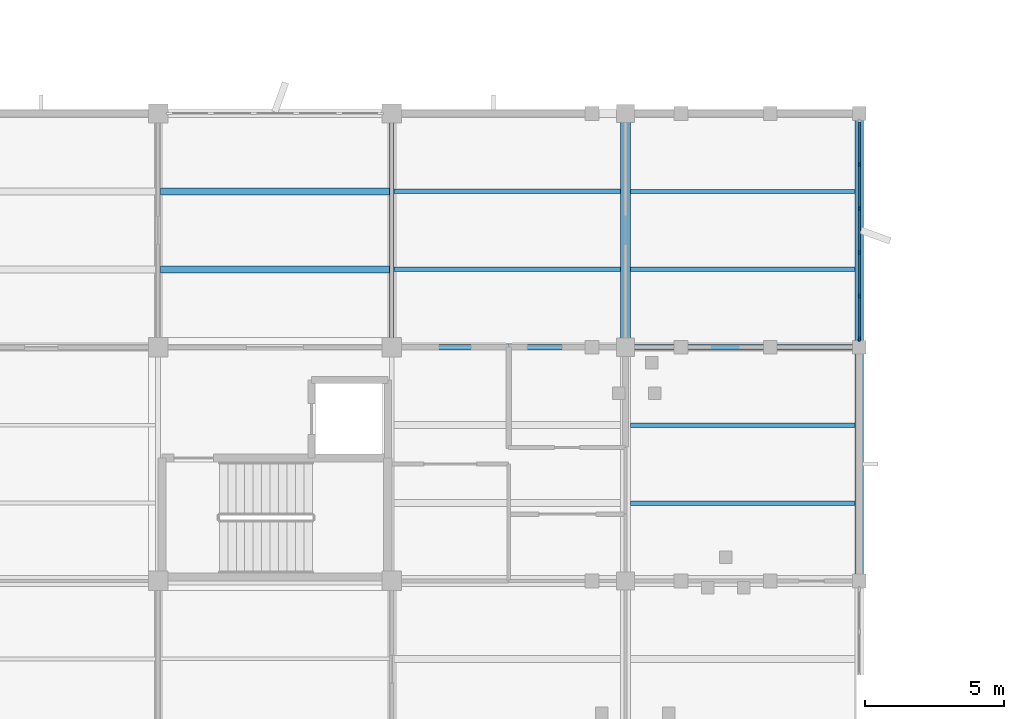
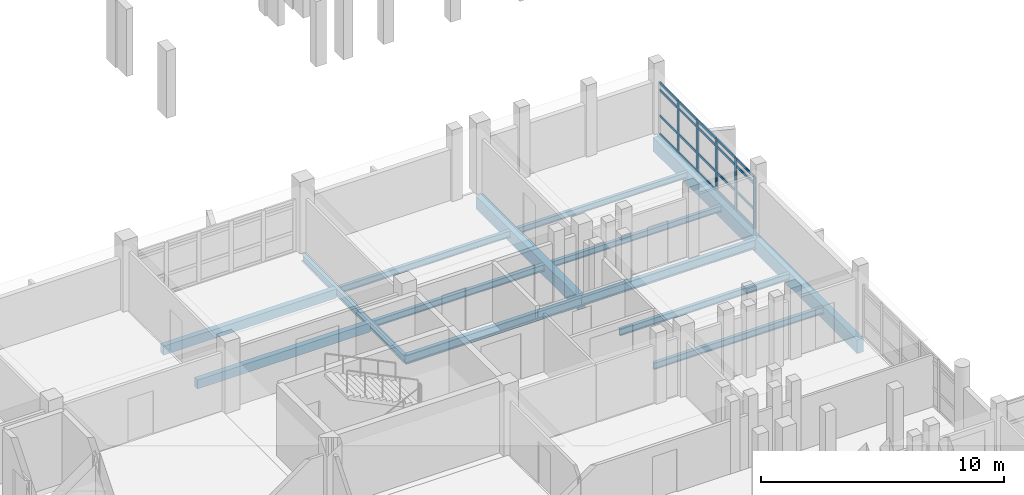
# One storey, part 42 of 104: 25 members, 14 beams, 1 element without a shape of its own.
"""IFC4 building model written with IfcOpenShell, lengths in metres."""

from ifc_helpers import new_model, si_unit, direction, frame, origin, origin_2d, place, context, subcontext, project, spatial, rectangle, i_section, extrude, material, material_profile, profile_set, type_object, element, aggregate, save


model = new_model("IFC4")

# Units and contexts
model_context = context("Model", 3, precision=1e-05, world=origin(), true_north=direction((0.0, 1.0)))
body_context = subcontext(model_context, "Body", "Model", "MODEL_VIEW")
ifc_project = project(units=[si_unit("LENGTHUNIT", "METRE"), si_unit("AREAUNIT", "SQUARE_METRE"), si_unit("VOLUMEUNIT", "CUBIC_METRE"), si_unit("PLANEANGLEUNIT", "RADIAN"), si_unit("MASSUNIT", "GRAM", prefix="KILO")], contexts=[model_context])

# Site, building, storey
site_placement = place(None, origin())
site = spatial("IfcSite", under=ifc_project, at=site_placement, CompositionType="ELEMENT")
building_placement = place(site_placement, origin())
building = spatial("IfcBuilding", under=site, at=building_placement, Name="Vanh Quang Courtyard School", CompositionType="ELEMENT")
storey_placement = place(building_placement, frame((0.0, 0.0, 4.199951171875)))
storey = spatial("IfcBuildingStorey", under=building, at=storey_placement, Name="L01", CompositionType="ELEMENT", Elevation=4.199951171875)

# Beams
ifc_material_1 = material(Name="Concrete C35/45", Category="concrete")
ifc_material_profile_1 = material_profile(ifc_material_1, rectangle(XDim=0.35009765625, YDim=0.64990234375, at=origin_2d()), Name="RC-BM 350x650")
ifc_profile_set_1 = profile_set([ifc_material_profile_1], Name="Concrete C35/45")
beam_type_1 = type_object("IfcBeamType", Name="BM-RC-350x650", PredefinedType="BEAM", material=ifc_profile_set_1)
beam_1_placement = place(storey_placement, frame((111.0, 88.199951171875, -0.60498046875), z_axis=(0.0, 1.0, 0.0), x_axis=(-1.0, 0.0, 0.0)))
element("IfcBeam", 1, at=beam_1_placement, inside=storey, type_object=beam_type_1, Name="Beam B-05 (L01)", PredefinedType="BEAM", context=body_context, shape_type="SweptSolid", body=[
    extrude(rectangle(XDim=0.35009765625, YDim=0.64990234375, at=origin_2d()), origin(), (0.0, 0.0, 1.0), 8.400146484375),
])
ifc_material_profile_2 = material_profile(ifc_material_1, rectangle(XDim=0.300048828125, YDim=0.699951171875, at=origin_2d()), Name="RC-SP 300x700")
ifc_profile_set_2 = profile_set([ifc_material_profile_2], Name="Concrete C35/45")
beam_type_2 = type_object("IfcBeamType", Name="BM-SP-300x700", PredefinedType="SPANDREL", material=ifc_profile_set_2)
beam_2_placement = place(storey_placement, frame((119.39990234375, 79.800048828125, -0.6298828125), z_axis=(0.0, 1.0, 0.0), x_axis=(-1.0, 0.0, 0.0)))
element("IfcBeam", 2, at=beam_2_placement, inside=storey, type_object=beam_type_2, Name="Beam BS-01 (L01)", PredefinedType="SPANDREL", context=body_context, shape_type="SweptSolid", body=[
    extrude(rectangle(XDim=0.300048828125, YDim=0.699951171875, at=origin_2d()), origin(), (0.0, 0.0, 1.0), 8.39990234375),
])
beam_3_placement = place(storey_placement, frame((119.39990234375, 88.199951171875, -0.6298828125), z_axis=(0.0, 1.0, 0.0), x_axis=(-1.0, 0.0, 0.0)))
element("IfcBeam", 3, at=beam_3_placement, inside=storey, type_object=beam_type_2, Name="Beam BS-01 (L01)", PredefinedType="SPANDREL", context=body_context, shape_type="SweptSolid", body=[
    extrude(rectangle(XDim=0.300048828125, YDim=0.699951171875, at=origin_2d()), origin(), (0.0, 0.0, 1.0), 8.400146484375),
])
ifc_material_2 = material(Name="Structural steel EN 10025-2 S355J2", Category="steel")
ifc_material_profile_3 = material_profile(ifc_material_2, i_section(OverallWidth=0.169921875, OverallDepth=0.360107421875, WebThickness=0.008056640625, FlangeThickness=0.0126953125, FilletRadius=0.01806640625, at=origin_2d()), Name="IPE 360")
ifc_profile_set_3 = profile_set([ifc_material_profile_3], Name="Structural steel EN 10025-2 S355J2")
beam_type_3 = type_object("IfcBeamType", Name="BM-STL-IPE360", PredefinedType="BEAM", material=ifc_profile_set_3)
beam_4_placement = place(storey_placement, frame((102.60009765625, 88.199951171875, -0.4599609375), z_axis=(0.0, 1.0, 0.0), x_axis=(-1.0, 0.0, 0.0)))
element("IfcBeam", 4, at=beam_4_placement, inside=storey, type_object=beam_type_3, Name="Beam SB-06 (L01)", PredefinedType="BEAM", context=body_context, shape_type="SweptSolid", body=[
    extrude(i_section(OverallWidth=0.169921875, OverallDepth=0.360107421875, WebThickness=0.008056640625, FlangeThickness=0.0126953125, FilletRadius=0.01806640625, at=origin_2d()), origin(), (0.0, 0.0, 1.0), 8.400146484375),
])
ifc_material_profile_4 = material_profile(ifc_material_2, i_section(OverallWidth=0.18994140625, OverallDepth=0.449951171875, WebThickness=0.009521484375, FlangeThickness=0.0146484375, FilletRadius=0.02099609375, at=origin_2d()), Name="IPE 450")
ifc_profile_set_4 = profile_set([ifc_material_profile_4], Name="Structural steel EN 10025-2 S355J2")
beam_type_4 = type_object("IfcBeamType", Name="BM-STL-IPE450", PredefinedType="BEAM", material=ifc_profile_set_4)
for number, where, z_axis, x_axis, name in (
    (5, (102.60009765625, 88.199951171875, -0.5048828125), (1.0, 0.0, 0.0), (0.0, 1.0, 0.0), "Beam SB-04 (L01)"),
    (6, (111.0, 88.199951171875, -0.5048828125), (1.0, 0.0, 0.0), (0.0, 1.0, 0.0), "Beam SB-04 (L01)"),
):
    element("IfcBeam", number, at=place(storey_placement, frame(where, z_axis=z_axis, x_axis=x_axis)), inside=storey, type_object=beam_type_4, Name=name, PredefinedType="BEAM", context=body_context, shape_type="SweptSolid", body=[
        extrude(i_section(OverallWidth=0.18994140625, OverallDepth=0.449951171875, WebThickness=0.009521484375, FlangeThickness=0.0146484375, FilletRadius=0.02099609375, at=origin_2d()), origin(), (0.0, 0.0, 1.0), 8.39990234375),
    ])

# Curtain wall, members
ifc_material_3 = material(Name="Thermally broken aluminium unitised curtain wall", Category="aluminium")
curtain_wall_type = type_object("IfcCurtainWallType", Name="CW-SYS-19", PredefinedType="NOTDEFINED", material=ifc_material_3)
curtain_wall_placement = place(storey_placement, origin())
curtain_wall = element("IfcCurtainWall", 7, at=curtain_wall_placement, inside=storey, type_object=curtain_wall_type, Name="Curtain Wall CW-19 (L01)", PredefinedType="NOTDEFINED")
ifc_material_4 = material(Name="Anodised aluminium 6063-T6", Category="aluminium")
ifc_material_profile_5 = material_profile(ifc_material_4, rectangle(XDim=0.06005859375, YDim=0.159912109375, at=origin_2d()), Name="ALU-MUL 60x160")
ifc_profile_set_5 = profile_set([ifc_material_profile_5], Name="Anodised aluminium 6063-T6")
member_type_1 = type_object("IfcMemberType", Name="CW-MUL-60x160", PredefinedType="MULLION", material=ifc_profile_set_5)
member_1_placement = place(storey_placement, frame((119.39990234375, 94.76513671875, 0.0), z_axis=(0.0, 0.0, 1.0), x_axis=(1.0, 0.0, 0.0)))
member_1 = element("IfcMember", 8, at=member_1_placement, type_object=member_type_1, Name="CW-19 mullion 2", PredefinedType="MULLION", context=body_context, shape_type="SweptSolid", body=[
    extrude(rectangle(XDim=0.06005859375, YDim=0.159912109375, at=origin_2d()), origin(), (0.0, 0.0, 1.0), 2.6201171875),
])
member_2_placement = place(storey_placement, frame((119.39990234375, 93.1884765625, 0.0), z_axis=(0.0, 0.0, 1.0), x_axis=(1.0, 0.0, 0.0)))
member_2 = element("IfcMember", 9, at=member_2_placement, type_object=member_type_1, Name="CW-19 mullion 3", PredefinedType="MULLION", context=body_context, shape_type="SweptSolid", body=[
    extrude(rectangle(XDim=0.06005859375, YDim=0.159912109375, at=origin_2d()), origin(), (0.0, 0.0, 1.0), 2.6201171875),
])
member_3_placement = place(storey_placement, frame((119.39990234375, 91.611572265625, 0.0), z_axis=(0.0, 0.0, 1.0), x_axis=(1.0, 0.0, 0.0)))
member_3 = element("IfcMember", 10, at=member_3_placement, type_object=member_type_1, Name="CW-19 mullion 4", PredefinedType="MULLION", context=body_context, shape_type="SweptSolid", body=[
    extrude(rectangle(XDim=0.06005859375, YDim=0.159912109375, at=origin_2d()), origin(), (0.0, 0.0, 1.0), 2.6201171875),
])
member_4_placement = place(storey_placement, frame((119.39990234375, 90.034912109375, 0.0), z_axis=(0.0, 0.0, 1.0), x_axis=(1.0, 0.0, 0.0)))
member_4 = element("IfcMember", 11, at=member_4_placement, type_object=member_type_1, Name="CW-19 mullion 5", PredefinedType="MULLION", context=body_context, shape_type="SweptSolid", body=[
    extrude(rectangle(XDim=0.06005859375, YDim=0.159912109375, at=origin_2d()), origin(), (0.0, 0.0, 1.0), 2.6201171875),
])
member_5_placement = place(storey_placement, frame((119.39990234375, 88.488037109375, 0.0), z_axis=(0.0, 0.0, 1.0), x_axis=(1.0, 0.0, 0.0)))
member_5 = element("IfcMember", 12, at=member_5_placement, type_object=member_type_1, Name="CW-19 mullion 6", PredefinedType="MULLION", context=body_context, shape_type="SweptSolid", body=[
    extrude(rectangle(XDim=0.06005859375, YDim=0.159912109375, at=origin_2d()), origin(), (0.0, 0.0, 1.0), 2.6201171875),
])
ifc_material_profile_6 = material_profile(ifc_material_4, rectangle(XDim=0.06005859375, YDim=0.1201171875, at=origin_2d()), Name="ALU-TRN 60x120")
ifc_profile_set_6 = profile_set([ifc_material_profile_6], Name="Anodised aluminium 6063-T6")
member_type_2 = type_object("IfcMemberType", Name="CW-TRN-60x120", PredefinedType="USERDEFINED", material=ifc_profile_set_6)
member_6_placement = place(storey_placement, frame((119.39990234375, 96.281982421875, 0.030029296875), z_axis=(0.0, -1.0, 0.0), x_axis=(1.0, 0.0, 0.0)))
member_6 = element("IfcMember", 13, at=member_6_placement, type_object=member_type_2, Name="CW-19 transom 1.1", ObjectType="TRANSOM", PredefinedType="USERDEFINED", context=body_context, shape_type="SweptSolid", body=[
    extrude(rectangle(XDim=0.06005859375, YDim=0.1201171875, at=origin_2d()), origin(), (0.0, 0.0, 1.0), 1.48681640625),
])
member_7_placement = place(storey_placement, frame((119.39990234375, 96.281982421875, 0.949951171875), z_axis=(0.0, -1.0, 0.0), x_axis=(1.0, 0.0, 0.0)))
member_7 = element("IfcMember", 14, at=member_7_placement, type_object=member_type_2, Name="CW-19 transom 1.2", ObjectType="TRANSOM", PredefinedType="USERDEFINED", context=body_context, shape_type="SweptSolid", body=[
    extrude(rectangle(XDim=0.06005859375, YDim=0.1201171875, at=origin_2d()), origin(), (0.0, 0.0, 1.0), 1.48681640625),
])
member_8_placement = place(storey_placement, frame((119.39990234375, 96.281982421875, 2.25), z_axis=(0.0, -1.0, 0.0), x_axis=(1.0, 0.0, 0.0)))
member_8 = element("IfcMember", 15, at=member_8_placement, type_object=member_type_2, Name="CW-19 transom 1.3", ObjectType="TRANSOM", PredefinedType="USERDEFINED", context=body_context, shape_type="SweptSolid", body=[
    extrude(rectangle(XDim=0.06005859375, YDim=0.1201171875, at=origin_2d()), origin(), (0.0, 0.0, 1.0), 1.48681640625),
])
member_9_placement = place(storey_placement, frame((119.39990234375, 96.281982421875, 2.590087890625), z_axis=(0.0, -1.0, 0.0), x_axis=(1.0, 0.0, 0.0)))
member_9 = element("IfcMember", 16, at=member_9_placement, type_object=member_type_2, Name="CW-19 transom 1.4", ObjectType="TRANSOM", PredefinedType="USERDEFINED", context=body_context, shape_type="SweptSolid", body=[
    extrude(rectangle(XDim=0.06005859375, YDim=0.1201171875, at=origin_2d()), origin(), (0.0, 0.0, 1.0), 1.48681640625),
])
member_10_placement = place(storey_placement, frame((119.39990234375, 94.735107421875, 0.030029296875), z_axis=(0.0, -1.0, 0.0), x_axis=(1.0, 0.0, 0.0)))
member_10 = element("IfcMember", 17, at=member_10_placement, type_object=member_type_2, Name="CW-19 transom 2.1", ObjectType="TRANSOM", PredefinedType="USERDEFINED", context=body_context, shape_type="SweptSolid", body=[
    extrude(rectangle(XDim=0.06005859375, YDim=0.1201171875, at=origin_2d()), origin(), (0.0, 0.0, 1.0), 1.5166015625),
])
member_11_placement = place(storey_placement, frame((119.39990234375, 94.735107421875, 0.949951171875), z_axis=(0.0, -1.0, 0.0), x_axis=(1.0, 0.0, 0.0)))
member_11 = element("IfcMember", 18, at=member_11_placement, type_object=member_type_2, Name="CW-19 transom 2.2", ObjectType="TRANSOM", PredefinedType="USERDEFINED", context=body_context, shape_type="SweptSolid", body=[
    extrude(rectangle(XDim=0.06005859375, YDim=0.1201171875, at=origin_2d()), origin(), (0.0, 0.0, 1.0), 1.5166015625),
])
member_12_placement = place(storey_placement, frame((119.39990234375, 94.735107421875, 2.25), z_axis=(0.0, -1.0, 0.0), x_axis=(1.0, 0.0, 0.0)))
member_12 = element("IfcMember", 19, at=member_12_placement, type_object=member_type_2, Name="CW-19 transom 2.3", ObjectType="TRANSOM", PredefinedType="USERDEFINED", context=body_context, shape_type="SweptSolid", body=[
    extrude(rectangle(XDim=0.06005859375, YDim=0.1201171875, at=origin_2d()), origin(), (0.0, 0.0, 1.0), 1.5166015625),
])
member_13_placement = place(storey_placement, frame((119.39990234375, 94.735107421875, 2.590087890625), z_axis=(0.0, -1.0, 0.0), x_axis=(1.0, 0.0, 0.0)))
member_13 = element("IfcMember", 20, at=member_13_placement, type_object=member_type_2, Name="CW-19 transom 2.4", ObjectType="TRANSOM", PredefinedType="USERDEFINED", context=body_context, shape_type="SweptSolid", body=[
    extrude(rectangle(XDim=0.06005859375, YDim=0.1201171875, at=origin_2d()), origin(), (0.0, 0.0, 1.0), 1.5166015625),
])
member_14_placement = place(storey_placement, frame((119.39990234375, 93.158447265625, 0.030029296875), z_axis=(0.0, -1.0, 0.0), x_axis=(1.0, 0.0, 0.0)))
member_14 = element("IfcMember", 21, at=member_14_placement, type_object=member_type_2, Name="CW-19 transom 3.1", ObjectType="TRANSOM", PredefinedType="USERDEFINED", context=body_context, shape_type="SweptSolid", body=[
    extrude(rectangle(XDim=0.06005859375, YDim=0.1201171875, at=origin_2d()), origin(), (0.0, 0.0, 1.0), 1.516845703125),
])
member_15_placement = place(storey_placement, frame((119.39990234375, 93.158447265625, 0.949951171875), z_axis=(0.0, -1.0, 0.0), x_axis=(1.0, 0.0, 0.0)))
member_15 = element("IfcMember", 22, at=member_15_placement, type_object=member_type_2, Name="CW-19 transom 3.2", ObjectType="TRANSOM", PredefinedType="USERDEFINED", context=body_context, shape_type="SweptSolid", body=[
    extrude(rectangle(XDim=0.06005859375, YDim=0.1201171875, at=origin_2d()), origin(), (0.0, 0.0, 1.0), 1.516845703125),
])
member_16_placement = place(storey_placement, frame((119.39990234375, 93.158447265625, 2.25), z_axis=(0.0, -1.0, 0.0), x_axis=(1.0, 0.0, 0.0)))
member_16 = element("IfcMember", 23, at=member_16_placement, type_object=member_type_2, Name="CW-19 transom 3.3", ObjectType="TRANSOM", PredefinedType="USERDEFINED", context=body_context, shape_type="SweptSolid", body=[
    extrude(rectangle(XDim=0.06005859375, YDim=0.1201171875, at=origin_2d()), origin(), (0.0, 0.0, 1.0), 1.516845703125),
])
member_17_placement = place(storey_placement, frame((119.39990234375, 93.158447265625, 2.590087890625), z_axis=(0.0, -1.0, 0.0), x_axis=(1.0, 0.0, 0.0)))
member_17 = element("IfcMember", 24, at=member_17_placement, type_object=member_type_2, Name="CW-19 transom 3.4", ObjectType="TRANSOM", PredefinedType="USERDEFINED", context=body_context, shape_type="SweptSolid", body=[
    extrude(rectangle(XDim=0.06005859375, YDim=0.1201171875, at=origin_2d()), origin(), (0.0, 0.0, 1.0), 1.516845703125),
])
member_18_placement = place(storey_placement, frame((119.39990234375, 91.58154296875, 0.030029296875), z_axis=(0.0, -1.0, 0.0), x_axis=(1.0, 0.0, 0.0)))
member_18 = element("IfcMember", 25, at=member_18_placement, type_object=member_type_2, Name="CW-19 transom 4.1", ObjectType="TRANSOM", PredefinedType="USERDEFINED", context=body_context, shape_type="SweptSolid", body=[
    extrude(rectangle(XDim=0.06005859375, YDim=0.1201171875, at=origin_2d()), origin(), (0.0, 0.0, 1.0), 1.516845703125),
])
member_19_placement = place(storey_placement, frame((119.39990234375, 91.58154296875, 0.949951171875), z_axis=(0.0, -1.0, 0.0), x_axis=(1.0, 0.0, 0.0)))
member_19 = element("IfcMember", 26, at=member_19_placement, type_object=member_type_2, Name="CW-19 transom 4.2", ObjectType="TRANSOM", PredefinedType="USERDEFINED", context=body_context, shape_type="SweptSolid", body=[
    extrude(rectangle(XDim=0.06005859375, YDim=0.1201171875, at=origin_2d()), origin(), (0.0, 0.0, 1.0), 1.516845703125),
])
member_20_placement = place(storey_placement, frame((119.39990234375, 91.58154296875, 2.25), z_axis=(0.0, -1.0, 0.0), x_axis=(1.0, 0.0, 0.0)))
member_20 = element("IfcMember", 27, at=member_20_placement, type_object=member_type_2, Name="CW-19 transom 4.3", ObjectType="TRANSOM", PredefinedType="USERDEFINED", context=body_context, shape_type="SweptSolid", body=[
    extrude(rectangle(XDim=0.06005859375, YDim=0.1201171875, at=origin_2d()), origin(), (0.0, 0.0, 1.0), 1.516845703125),
])
member_21_placement = place(storey_placement, frame((119.39990234375, 91.58154296875, 2.590087890625), z_axis=(0.0, -1.0, 0.0), x_axis=(1.0, 0.0, 0.0)))
member_21 = element("IfcMember", 28, at=member_21_placement, type_object=member_type_2, Name="CW-19 transom 4.4", ObjectType="TRANSOM", PredefinedType="USERDEFINED", context=body_context, shape_type="SweptSolid", body=[
    extrude(rectangle(XDim=0.06005859375, YDim=0.1201171875, at=origin_2d()), origin(), (0.0, 0.0, 1.0), 1.516845703125),
])
member_22_placement = place(storey_placement, frame((119.39990234375, 90.0048828125, 0.030029296875), z_axis=(0.0, -1.0, 0.0), x_axis=(1.0, 0.0, 0.0)))
member_22 = element("IfcMember", 29, at=member_22_placement, type_object=member_type_2, Name="CW-19 transom 5.1", ObjectType="TRANSOM", PredefinedType="USERDEFINED", context=body_context, shape_type="SweptSolid", body=[
    extrude(rectangle(XDim=0.06005859375, YDim=0.1201171875, at=origin_2d()), origin(), (0.0, 0.0, 1.0), 1.48681640625),
])
member_23_placement = place(storey_placement, frame((119.39990234375, 90.0048828125, 0.949951171875), z_axis=(0.0, -1.0, 0.0), x_axis=(1.0, 0.0, 0.0)))
member_23 = element("IfcMember", 30, at=member_23_placement, type_object=member_type_2, Name="CW-19 transom 5.2", ObjectType="TRANSOM", PredefinedType="USERDEFINED", context=body_context, shape_type="SweptSolid", body=[
    extrude(rectangle(XDim=0.06005859375, YDim=0.1201171875, at=origin_2d()), origin(), (0.0, 0.0, 1.0), 1.48681640625),
])
member_24_placement = place(storey_placement, frame((119.39990234375, 90.0048828125, 2.25), z_axis=(0.0, -1.0, 0.0), x_axis=(1.0, 0.0, 0.0)))
member_24 = element("IfcMember", 31, at=member_24_placement, type_object=member_type_2, Name="CW-19 transom 5.3", ObjectType="TRANSOM", PredefinedType="USERDEFINED", context=body_context, shape_type="SweptSolid", body=[
    extrude(rectangle(XDim=0.06005859375, YDim=0.1201171875, at=origin_2d()), origin(), (0.0, 0.0, 1.0), 1.48681640625),
])
member_25_placement = place(storey_placement, frame((119.39990234375, 90.0048828125, 2.590087890625), z_axis=(0.0, -1.0, 0.0), x_axis=(1.0, 0.0, 0.0)))
member_25 = element("IfcMember", 32, at=member_25_placement, type_object=member_type_2, Name="CW-19 transom 5.4", ObjectType="TRANSOM", PredefinedType="USERDEFINED", context=body_context, shape_type="SweptSolid", body=[
    extrude(rectangle(XDim=0.06005859375, YDim=0.1201171875, at=origin_2d()), origin(), (0.0, 0.0, 1.0), 1.48681640625),
])
aggregate(curtain_wall, [member_1, member_2, member_3, member_4, member_5, member_6, member_7, member_8, member_9, member_10, member_11, member_12, member_13, member_14, member_15, member_16, member_17, member_18, member_19, member_20, member_21, member_22, member_23, member_24, member_25])

# Beams
ifc_material_5 = material(Name="Concrete C30/37", Category="concrete")
ifc_material_profile_7 = material_profile(ifc_material_5, rectangle(XDim=0.25, YDim=0.449951171875, at=origin_2d()), Name="RC-JST 250x450")
ifc_profile_set_7 = profile_set([ifc_material_profile_7], Name="Concrete C30/37")
beam_type_5 = type_object("IfcBeamType", Name="JST-RC-250x450", PredefinedType="JOIST", material=ifc_profile_set_7)
for number, where, z_axis, x_axis, name in (
    (33, (94.2900390625, 91.0, -0.5048828125), (1.0, 0.0, 0.0), (0.0, 1.0, 0.0), "Beam BJ-02 (L01)"),
    (34, (94.2900390625, 93.800048828125, -0.5048828125), (1.0, 0.0, 0.0), (0.0, 1.0, 0.0), "Beam BJ-02 (L01)"),
):
    element("IfcBeam", number, at=place(storey_placement, frame(where, z_axis=z_axis, x_axis=x_axis)), inside=storey, type_object=beam_type_5, Name=name, PredefinedType="JOIST", context=body_context, shape_type="SweptSolid", body=[
        extrude(rectangle(XDim=0.25, YDim=0.449951171875, at=origin_2d()), origin(), (0.0, 0.0, 1.0), 8.224853515625),
    ])
ifc_material_profile_8 = material_profile(ifc_material_2, i_section(OverallWidth=0.14990234375, OverallDepth=0.300048828125, WebThickness=0.007080078125, FlangeThickness=0.0107421875, FilletRadius=0.014892578125, at=origin_2d()), Name="IPE 300")
ifc_profile_set_8 = profile_set([ifc_material_profile_8], Name="Structural steel EN 10025-2 S355J2")
beam_type_6 = type_object("IfcBeamType", Name="JST-STL-IPE300", PredefinedType="JOIST", material=ifc_profile_set_8)
for number, where, z_axis, x_axis, name in (
    (35, (111.175048828125, 91.0, -0.429931640625), (1.0, 0.0, 0.0), (0.0, 1.0, 0.0), "Beam SJ-02 (L01)"),
    (36, (111.175048828125, 93.800048828125, -0.429931640625), (1.0, 0.0, 0.0), (0.0, 1.0, 0.0), "Beam SJ-02 (L01)"),
):
    element("IfcBeam", number, at=place(storey_placement, frame(where, z_axis=z_axis, x_axis=x_axis)), inside=storey, type_object=beam_type_6, Name=name, PredefinedType="JOIST", context=body_context, shape_type="SweptSolid", body=[
        extrude(i_section(OverallWidth=0.14990234375, OverallDepth=0.300048828125, WebThickness=0.007080078125, FlangeThickness=0.0107421875, FilletRadius=0.014892578125, at=origin_2d()), origin(), (0.0, 0.0, 1.0), 8.074951171875),
    ])
ifc_material_profile_9 = material_profile(ifc_material_2, i_section(OverallWidth=0.159912109375, OverallDepth=0.330078125, WebThickness=0.007568359375, FlangeThickness=0.011474609375, FilletRadius=0.01806640625, at=origin_2d()), Name="IPE 330")
ifc_profile_set_9 = profile_set([ifc_material_profile_9], Name="Structural steel EN 10025-2 S355J2")
beam_type_7 = type_object("IfcBeamType", Name="JST-STL-IPE330", PredefinedType="JOIST", material=ifc_profile_set_9)
for number, where, z_axis, x_axis, name in (
    (37, (102.68505859375, 91.0, -0.445068359375), (1.0, 0.0, 0.0), (0.0, 1.0, 0.0), "Beam SJ-01 (L01)"),
    (38, (102.68505859375, 93.800048828125, -0.445068359375), (1.0, 0.0, 0.0), (0.0, 1.0, 0.0), "Beam SJ-01 (L01)"),
):
    element("IfcBeam", number, at=place(storey_placement, frame(where, z_axis=z_axis, x_axis=x_axis)), inside=storey, type_object=beam_type_7, Name=name, PredefinedType="JOIST", context=body_context, shape_type="SweptSolid", body=[
        extrude(i_section(OverallWidth=0.159912109375, OverallDepth=0.330078125, WebThickness=0.007568359375, FlangeThickness=0.011474609375, FilletRadius=0.01806640625, at=origin_2d()), origin(), (0.0, 0.0, 1.0), 8.139892578125),
    ])
for number, where, z_axis, x_axis, name in (
    (39, (111.175048828125, 82.60009765625, -0.445068359375), (1.0, 0.0, 0.0), (0.0, 1.0, 0.0), "Beam SJ-01 (L01)"),
    (40, (111.175048828125, 85.39990234375, -0.445068359375), (1.0, 0.0, 0.0), (0.0, 1.0, 0.0), "Beam SJ-01 (L01)"),
):
    element("IfcBeam", number, at=place(storey_placement, frame(where, z_axis=z_axis, x_axis=x_axis)), inside=storey, type_object=beam_type_7, Name=name, PredefinedType="JOIST", context=body_context, shape_type="SweptSolid", body=[
        extrude(i_section(OverallWidth=0.159912109375, OverallDepth=0.330078125, WebThickness=0.007568359375, FlangeThickness=0.011474609375, FilletRadius=0.01806640625, at=origin_2d()), origin(), (0.0, 0.0, 1.0), 8.074951171875),
    ])

save(model, "model.ifc")
